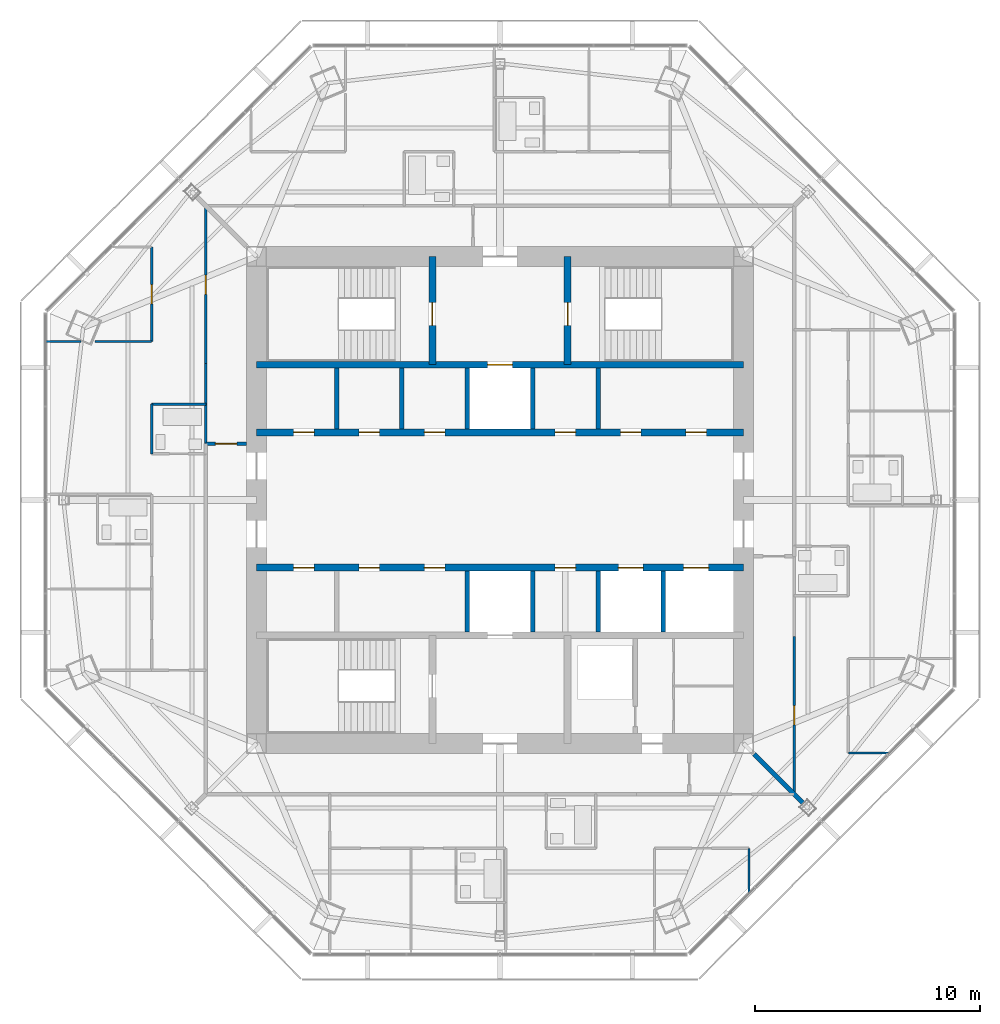
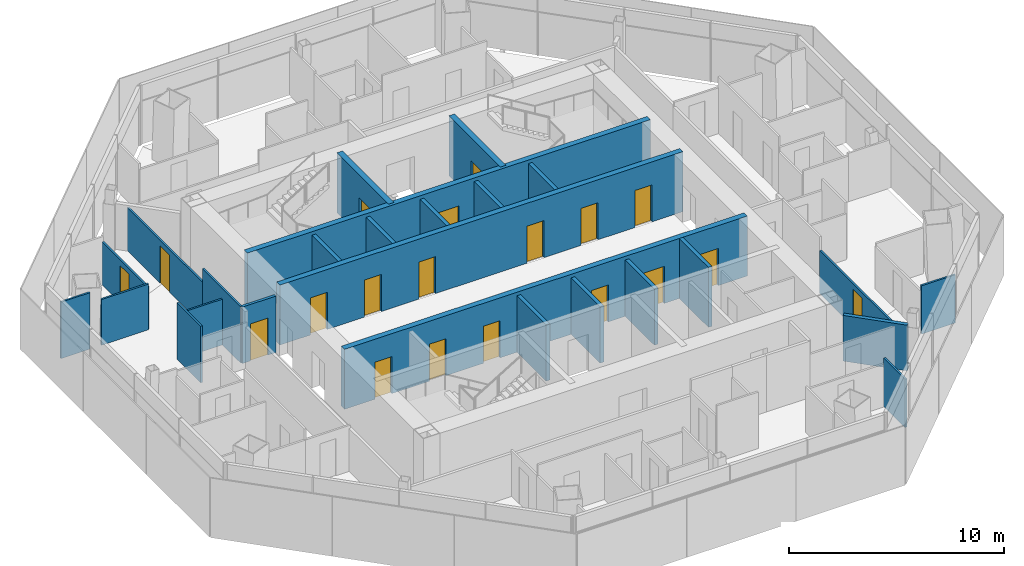
# One storey, part 11 of 15: 26 walls, 19 doors, 19 openings.
"""IFC4 building model written with IfcOpenShell, lengths in metres."""

from ifc_helpers import new_model, si_unit, direction, frame, frame_2d, origin, place, context, subcontext, project, spatial, rectangle, extrude, material, layer, layer_set, type_object, element, fill, save


model = new_model("IFC4")

# Units and contexts
model_context = context("Model", 3, precision=1e-05, world=origin(), true_north=direction((0.0, 1.0)))
body_context = subcontext(model_context, "Body", "Model", "MODEL_VIEW")
ifc_project = project(units=[si_unit("LENGTHUNIT", "METRE"), si_unit("AREAUNIT", "SQUARE_METRE"), si_unit("VOLUMEUNIT", "CUBIC_METRE"), si_unit("PLANEANGLEUNIT", "RADIAN"), si_unit("MASSUNIT", "GRAM", prefix="KILO")], contexts=[model_context])

# Site, building, storey
site_placement = place(None, origin())
site = spatial("IfcSite", under=ifc_project, at=site_placement, CompositionType="ELEMENT")
building_placement = place(site_placement, origin())
building = spatial("IfcBuilding", under=site, at=building_placement, Name="Mashrafa Tower", CompositionType="ELEMENT")
storey_placement = place(building_placement, frame((0.0, 0.0, 277.60009765625)))
storey = spatial("IfcBuildingStorey", under=building, at=storey_placement, Name="L67", CompositionType="ELEMENT", Elevation=277.60009765625)

# Wall
ifc_material_1 = material(Name="Gypsum board on steel studs", Category="steel")
ifc_layer_1 = layer(ifc_material_1, 0.199951171875)
ifc_layer_set_1 = layer_set([ifc_layer_1], Name="Acoustic partition 200 1 hr")
wall_type_1 = type_object("IfcWallType", Name="Acoustic partition 200 1 hr", PredefinedType="PARTITIONING", material=ifc_layer_set_1)
wall_1_placement = place(storey_placement, frame((13.4501953125, -13.4501953125, 0.0), z_axis=(0.0, 0.0, 1.0), x_axis=(-0.707106781187, 0.707106781187, 0.0)))
element("IfcWall", 1, at=wall_1_placement, inside=storey, type_object=wall_type_1, Name="Acoustic wall L67-051", PredefinedType="PARTITIONING", context=body_context, shape_type="SweptSolid", body=[
    extrude(rectangle(XDim=3.084716796875, YDim=0.199951171875, at=frame_2d((1.54248046875, 0.0))), origin(), (0.0, 0.0, 1.0), 2.590576171875),
])

# Wall, openings, doors
ifc_material_2 = material(Name="Concrete C50/60", Category="concrete")
ifc_layer_2 = layer(ifc_material_2, 0.300048828125)
ifc_layer_set_2 = layer_set([ifc_layer_2], Name="Core wall 300 C50/60")
wall_type_2 = type_object("IfcWallType", Name="Core wall 300 C50/60", PredefinedType="SOLIDWALL", material=ifc_layer_set_2)
wall_2_placement = place(storey_placement, frame((-10.800048828125, 3.0, 0.0), z_axis=(0.0, 0.0, 1.0), x_axis=(1.0, 0.0, 0.0)))
wall_2 = element("IfcWall", 2, at=wall_2_placement, inside=storey, type_object=wall_type_2, Name="Core wall CH-N L67", PredefinedType="SOLIDWALL", context=body_context, shape_type="SweptSolid", body=[
    extrude(rectangle(XDim=21.60009765625, YDim=0.300048828125, at=frame_2d((10.800048828125, 0.0))), origin(), (0.0, 0.0, 1.0), 3.39990234375),
])
opening_1_placement = place(wall_2_placement, frame((1.64990234375, 0.0, 0.0)))
opening_1 = element("IfcOpeningElement", 3, at=opening_1_placement, cuts=wall_2, Name="Opening 67.046", PredefinedType="OPENING", context=body_context, shape_type="SweptSolid", body=[
    extrude(rectangle(XDim=0.89990234375, YDim=2.10009765625, at=frame_2d((0.449951171875, 1.050048828125))), frame((0.0, 0.159912109375, 0.0), z_axis=(0.0, -1.0, 0.0), x_axis=(1.0, 0.0, 0.0)), (0.0, 0.0, 1.0), 0.320068359375),
])
opening_2_placement = place(wall_2_placement, frame((7.449951171875, 0.0, 0.0)))
opening_2 = element("IfcOpeningElement", 4, at=opening_2_placement, cuts=wall_2, Name="Opening 67.047", PredefinedType="OPENING", context=body_context, shape_type="SweptSolid", body=[
    extrude(rectangle(XDim=0.89990234375, YDim=2.10009765625, at=frame_2d((0.449951171875, 1.050048828125))), frame((0.0, 0.159912109375, 0.0), z_axis=(0.0, -1.0, 0.0), x_axis=(1.0, 0.0, 0.0)), (0.0, 0.0, 1.0), 0.320068359375),
])
opening_3_placement = place(wall_2_placement, frame((13.25, 0.0, 0.0)))
opening_3 = element("IfcOpeningElement", 5, at=opening_3_placement, cuts=wall_2, Name="Opening 67.048", PredefinedType="OPENING", context=body_context, shape_type="SweptSolid", body=[
    extrude(rectangle(XDim=0.89990234375, YDim=2.10009765625, at=frame_2d((0.449951171875, 1.050048828125))), frame((0.0, 0.159912109375, 0.0), z_axis=(0.0, -1.0, 0.0), x_axis=(1.0, 0.0, 0.0)), (0.0, 0.0, 1.0), 0.320068359375),
])
opening_4_placement = place(wall_2_placement, frame((16.14990234375, 0.0, 0.0)))
opening_4 = element("IfcOpeningElement", 6, at=opening_4_placement, cuts=wall_2, Name="Opening 67.049", PredefinedType="OPENING", context=body_context, shape_type="SweptSolid", body=[
    extrude(rectangle(XDim=0.89990234375, YDim=2.10009765625, at=frame_2d((0.449951171875, 1.050048828125))), frame((0.0, 0.159912109375, 0.0), z_axis=(0.0, -1.0, 0.0), x_axis=(1.0, 0.0, 0.0)), (0.0, 0.0, 1.0), 0.320068359375),
])
opening_5_placement = place(wall_2_placement, frame((19.050048828125, 0.0, 0.0)))
opening_5 = element("IfcOpeningElement", 7, at=opening_5_placement, cuts=wall_2, Name="Opening 67.050", PredefinedType="OPENING", context=body_context, shape_type="SweptSolid", body=[
    extrude(rectangle(XDim=0.89990234375, YDim=2.10009765625, at=frame_2d((0.449951171875, 1.050048828125))), frame((0.0, 0.159912109375, 0.0), z_axis=(0.0, -1.0, 0.0), x_axis=(1.0, 0.0, 0.0)), (0.0, 0.0, 1.0), 0.320068359375),
])
opening_6_placement = place(wall_2_placement, frame((4.550048828125, 0.0, 0.0)))
opening_6 = element("IfcOpeningElement", 8, at=opening_6_placement, cuts=wall_2, Name="Opening 67.053", PredefinedType="OPENING", context=body_context, shape_type="SweptSolid", body=[
    extrude(rectangle(XDim=0.89990234375, YDim=2.10009765625, at=frame_2d((0.449951171875, 1.050048828125))), frame((0.0, 0.159912109375, 0.0), z_axis=(0.0, -1.0, 0.0), x_axis=(1.0, 0.0, 0.0)), (0.0, 0.0, 1.0), 0.320068359375),
])
ifc_material_3 = material(Name="Timber door", Category="wood")
door_type_1 = type_object("IfcDoorType", Name="Store door 900 x 2100", OperationType="USERDEFINED", PredefinedType="DOOR", material=ifc_material_3)
door_1_placement = place(opening_1_placement, origin())
door_1 = element("IfcDoor", 9, at=door_1_placement, inside=storey, type_object=door_type_1, Name="Refuse Chute Room L67 door", OperationType="SINGLE_SWING_RIGHT", OverallHeight=2.10009765625, OverallWidth=0.89990234375, PredefinedType="DOOR", context=body_context, shape_type="SweptSolid", body=[
    extrude(rectangle(XDim=0.89990234375, YDim=2.10009765625, at=frame_2d((0.449951171875, 1.050048828125))), frame((0.0, 0.02490234375, 0.0), z_axis=(0.0, -1.0, 0.0), x_axis=(1.0, 0.0, 0.0)), (0.0, 0.0, 1.0), 0.050048828125),
])
fill(opening_1, door_1)
door_2_placement = place(opening_2_placement, origin())
door_2 = element("IfcDoor", 10, at=door_2_placement, inside=storey, type_object=door_type_1, Name="Vending and Ice Room L67 door", OperationType="SINGLE_SWING_LEFT", OverallHeight=2.10009765625, OverallWidth=0.89990234375, PredefinedType="DOOR", context=body_context, shape_type="SweptSolid", body=[
    extrude(rectangle(XDim=0.89990234375, YDim=2.10009765625, at=frame_2d((0.449951171875, 1.050048828125))), frame((0.0, 0.02490234375, 0.0), z_axis=(0.0, -1.0, 0.0), x_axis=(1.0, 0.0, 0.0)), (0.0, 0.0, 1.0), 0.050048828125),
])
fill(opening_2, door_2)
door_3_placement = place(opening_3_placement, origin())
door_3 = element("IfcDoor", 11, at=door_3_placement, inside=storey, type_object=door_type_1, Name="Cleaner's Store L67 door", OperationType="SINGLE_SWING_LEFT", OverallHeight=2.10009765625, OverallWidth=0.89990234375, PredefinedType="DOOR", context=body_context, shape_type="SweptSolid", body=[
    extrude(rectangle(XDim=0.89990234375, YDim=2.10009765625, at=frame_2d((0.449951171875, 1.050048828125))), frame((0.0, 0.02490234375, 0.0), z_axis=(0.0, -1.0, 0.0), x_axis=(1.0, 0.0, 0.0)), (0.0, 0.0, 1.0), 0.050048828125),
])
fill(opening_3, door_3)
door_4_placement = place(opening_4_placement, origin())
door_4 = element("IfcDoor", 12, at=door_4_placement, inside=storey, type_object=door_type_1, Name="Parcel Room L67 door", OperationType="SINGLE_SWING_LEFT", OverallHeight=2.10009765625, OverallWidth=0.89990234375, PredefinedType="DOOR", context=body_context, shape_type="SweptSolid", body=[
    extrude(rectangle(XDim=0.89990234375, YDim=2.10009765625, at=frame_2d((0.449951171875, 1.050048828125))), frame((0.0, 0.02490234375, 0.0), z_axis=(0.0, -1.0, 0.0), x_axis=(1.0, 0.0, 0.0)), (0.0, 0.0, 1.0), 0.050048828125),
])
fill(opening_4, door_4)
door_5_placement = place(opening_5_placement, origin())
door_5 = element("IfcDoor", 13, at=door_5_placement, inside=storey, type_object=door_type_1, Name="Parcel Room L67 door", OperationType="SINGLE_SWING_RIGHT", OverallHeight=2.10009765625, OverallWidth=0.89990234375, PredefinedType="DOOR", context=body_context, shape_type="SweptSolid", body=[
    extrude(rectangle(XDim=0.89990234375, YDim=2.10009765625, at=frame_2d((0.449951171875, 1.050048828125))), frame((0.0, 0.02490234375, 0.0), z_axis=(0.0, -1.0, 0.0), x_axis=(1.0, 0.0, 0.0)), (0.0, 0.0, 1.0), 0.050048828125),
])
fill(opening_5, door_5)
door_6_placement = place(opening_6_placement, origin())
door_6 = element("IfcDoor", 14, at=door_6_placement, inside=storey, type_object=door_type_1, Name="Residents' Store L67-A2 door", OperationType="SINGLE_SWING_LEFT", OverallHeight=2.10009765625, OverallWidth=0.89990234375, PredefinedType="DOOR", context=body_context, shape_type="SweptSolid", body=[
    extrude(rectangle(XDim=0.89990234375, YDim=2.10009765625, at=frame_2d((0.449951171875, 1.050048828125))), frame((0.0, 0.02490234375, 0.0), z_axis=(0.0, -1.0, 0.0), x_axis=(1.0, 0.0, 0.0)), (0.0, 0.0, 1.0), 0.050048828125),
])
fill(opening_6, door_6)

# Wall, opening, door
wall_3_placement = place(storey_placement, frame((-10.800048828125, 6.0, 0.0), z_axis=(0.0, 0.0, 1.0), x_axis=(1.0, 0.0, 0.0)))
wall_3 = element("IfcWall", 15, at=wall_3_placement, inside=storey, type_object=wall_type_2, Name="Core wall CB-N L67", PredefinedType="SOLIDWALL", context=body_context, shape_type="SweptSolid", body=[
    extrude(rectangle(XDim=21.60009765625, YDim=0.300048828125, at=frame_2d((10.800048828125, 0.0))), origin(), (0.0, 0.0, 1.0), 3.39990234375),
])
opening_7_placement = place(wall_3_placement, frame((10.25, 0.0, 0.0)))
opening_7 = element("IfcOpeningElement", 16, at=opening_7_placement, cuts=wall_3, Name="Opening 67.F1", PredefinedType="OPENING", context=body_context, shape_type="SweptSolid", body=[
    extrude(rectangle(XDim=1.10009765625, YDim=2.10009765625, at=frame_2d((0.550048828125, 1.050048828125))), frame((0.0, 0.159912109375, 0.0), z_axis=(0.0, -1.0, 0.0), x_axis=(1.0, 0.0, 0.0)), (0.0, 0.0, 1.0), 0.320068359375),
])
ifc_material_4 = material(Name="Steel door", Category="steel")
door_type_2 = type_object("IfcDoorType", Name="Lift landing door 1100 x 2100 90 min", OperationType="DOUBLE_DOOR_SLIDING", PredefinedType="DOOR", material=ifc_material_4)
door_7_placement = place(opening_7_placement, origin())
door_7 = element("IfcDoor", 17, at=door_7_placement, inside=storey, type_object=door_type_2, Name="Lift landing door F1 L67", OperationType="DOUBLE_DOOR_SLIDING", OverallHeight=2.10009765625, OverallWidth=1.10009765625, PredefinedType="DOOR", context=body_context, shape_type="SweptSolid", body=[
    extrude(rectangle(XDim=1.10009765625, YDim=2.10009765625, at=frame_2d((0.550048828125, 1.050048828125))), frame((0.0, 0.02490234375, 0.0), z_axis=(0.0, -1.0, 0.0), x_axis=(1.0, 0.0, 0.0)), (0.0, 0.0, 1.0), 0.050048828125),
])
fill(opening_7, door_7)

wall_4_placement = place(storey_placement, frame((-3.0, 6.0, 0.0), z_axis=(0.0, 0.0, 1.0), x_axis=(0.0, 1.0, 0.0)))
wall_4 = element("IfcWall", 18, at=wall_4_placement, inside=storey, type_object=wall_type_2, Name="Core wall CX-NW L67", PredefinedType="SOLIDWALL", context=body_context, shape_type="SweptSolid", body=[
    extrude(rectangle(XDim=4.800048828125, YDim=0.300048828125, at=frame_2d((2.39990234375, 0.0))), origin(), (0.0, 0.0, 1.0), 3.39990234375),
])
opening_8_placement = place(wall_4_placement, frame((1.75, 0.0, 0.0)))
opening_8 = element("IfcOpeningElement", 19, at=opening_8_placement, cuts=wall_4, Name="Opening 67.039", PredefinedType="OPENING", context=body_context, shape_type="SweptSolid", body=[
    extrude(rectangle(XDim=1.0, YDim=2.10009765625, at=frame_2d((0.5, 1.050048828125))), frame((0.0, 0.159912109375, 0.0), z_axis=(0.0, -1.0, 0.0), x_axis=(1.0, 0.0, 0.0)), (0.0, 0.0, 1.0), 0.320068359375),
])
ifc_material_5 = material(Name="Steel door", Category="steel")
door_type_3 = type_object("IfcDoorType", Name="Stair door 1000 x 2100 90 min", OperationType="USERDEFINED", PredefinedType="DOOR", material=ifc_material_5)
door_8_placement = place(opening_8_placement, origin())
door_8 = element("IfcDoor", 20, at=door_8_placement, inside=storey, type_object=door_type_3, Name="Stair S1 door L67", OperationType="SINGLE_SWING_LEFT", OverallHeight=2.10009765625, OverallWidth=1.0, PredefinedType="DOOR", context=body_context, shape_type="SweptSolid", body=[
    extrude(rectangle(XDim=1.0, YDim=2.10009765625, at=frame_2d((0.5, 1.050048828125))), frame((0.0, 0.02490234375, 0.0), z_axis=(0.0, -1.0, 0.0), x_axis=(1.0, 0.0, 0.0)), (0.0, 0.0, 1.0), 0.050048828125),
])
fill(opening_8, door_8)

wall_5_placement = place(storey_placement, frame((3.0, 6.0, 0.0), z_axis=(0.0, 0.0, 1.0), x_axis=(0.0, 1.0, 0.0)))
wall_5 = element("IfcWall", 21, at=wall_5_placement, inside=storey, type_object=wall_type_2, Name="Core wall CX-NE L67", PredefinedType="SOLIDWALL", context=body_context, shape_type="SweptSolid", body=[
    extrude(rectangle(XDim=4.800048828125, YDim=0.300048828125, at=frame_2d((2.39990234375, 0.0))), origin(), (0.0, 0.0, 1.0), 3.39990234375),
])
opening_9_placement = place(wall_5_placement, frame((1.75, 0.0, 0.0)))
opening_9 = element("IfcOpeningElement", 22, at=opening_9_placement, cuts=wall_5, Name="Opening 67.040", PredefinedType="OPENING", context=body_context, shape_type="SweptSolid", body=[
    extrude(rectangle(XDim=1.0, YDim=2.10009765625, at=frame_2d((0.5, 1.050048828125))), frame((0.0, 0.159912109375, 0.0), z_axis=(0.0, -1.0, 0.0), x_axis=(1.0, 0.0, 0.0)), (0.0, 0.0, 1.0), 0.320068359375),
])
door_9_placement = place(opening_9_placement, frame((1.0, 0.0, 0.0), z_axis=(0.0, 0.0, 1.0), x_axis=(-1.0, 0.0, 0.0)))
door_9 = element("IfcDoor", 23, at=door_9_placement, inside=storey, type_object=door_type_3, Name="Stair S2 door L67", OperationType="SINGLE_SWING_RIGHT", OverallHeight=2.10009765625, OverallWidth=1.0, PredefinedType="DOOR", context=body_context, shape_type="SweptSolid", body=[
    extrude(rectangle(XDim=1.0, YDim=2.10009765625, at=frame_2d((0.5, 1.050048828125))), frame((0.0, 0.02490234375, 0.0), z_axis=(0.0, -1.0, 0.0), x_axis=(1.0, 0.0, 0.0)), (0.0, 0.0, 1.0), 0.050048828125),
])
fill(opening_9, door_9)

# Wall, openings, doors
wall_6_placement = place(storey_placement, frame((-10.800048828125, -3.0, 0.0), z_axis=(0.0, 0.0, 1.0), x_axis=(1.0, 0.0, 0.0)))
wall_6 = element("IfcWall", 24, at=wall_6_placement, inside=storey, type_object=wall_type_2, Name="Core wall CH-S L67", PredefinedType="SOLIDWALL", context=body_context, shape_type="SweptSolid", body=[
    extrude(rectangle(XDim=21.60009765625, YDim=0.300048828125, at=frame_2d((10.800048828125, 0.0))), origin(), (0.0, 0.0, 1.0), 3.39990234375),
])
opening_10_placement = place(wall_6_placement, frame((4.550048828125, 0.0, 0.0)))
opening_10 = element("IfcOpeningElement", 25, at=opening_10_placement, cuts=wall_6, Name="Opening 67.051", PredefinedType="OPENING", context=body_context, shape_type="SweptSolid", body=[
    extrude(rectangle(XDim=0.89990234375, YDim=2.10009765625, at=frame_2d((0.449951171875, 1.050048828125))), frame((0.0, 0.159912109375, 0.0), z_axis=(0.0, -1.0, 0.0), x_axis=(1.0, 0.0, 0.0)), (0.0, 0.0, 1.0), 0.320068359375),
])
opening_11_placement = place(wall_6_placement, frame((7.449951171875, 0.0, 0.0)))
opening_11 = element("IfcOpeningElement", 26, at=opening_11_placement, cuts=wall_6, Name="Opening 67.052", PredefinedType="OPENING", context=body_context, shape_type="SweptSolid", body=[
    extrude(rectangle(XDim=0.89990234375, YDim=2.10009765625, at=frame_2d((0.449951171875, 1.050048828125))), frame((0.0, 0.159912109375, 0.0), z_axis=(0.0, -1.0, 0.0), x_axis=(1.0, 0.0, 0.0)), (0.0, 0.0, 1.0), 0.320068359375),
])
opening_12_placement = place(wall_6_placement, frame((1.64990234375, 0.0, 0.0)))
opening_12 = element("IfcOpeningElement", 27, at=opening_12_placement, cuts=wall_6, Name="Opening 67.054", PredefinedType="OPENING", context=body_context, shape_type="SweptSolid", body=[
    extrude(rectangle(XDim=0.89990234375, YDim=2.10009765625, at=frame_2d((0.449951171875, 1.050048828125))), frame((0.0, 0.159912109375, 0.0), z_axis=(0.0, -1.0, 0.0), x_axis=(1.0, 0.0, 0.0)), (0.0, 0.0, 1.0), 0.320068359375),
])
opening_13_placement = place(wall_6_placement, frame((13.25, 0.0, 0.0)))
opening_13 = element("IfcOpeningElement", 28, at=opening_13_placement, cuts=wall_6, Name="Opening 67.055", PredefinedType="OPENING", context=body_context, shape_type="SweptSolid", body=[
    extrude(rectangle(XDim=0.89990234375, YDim=2.10009765625, at=frame_2d((0.449951171875, 1.050048828125))), frame((0.0, 0.159912109375, 0.0), z_axis=(0.0, -1.0, 0.0), x_axis=(1.0, 0.0, 0.0)), (0.0, 0.0, 1.0), 0.320068359375),
])
opening_14_placement = place(wall_6_placement, frame((16.050048828125, 0.0, 0.0)))
opening_14 = element("IfcOpeningElement", 29, at=opening_14_placement, cuts=wall_6, Name="Opening 67.R1", PredefinedType="OPENING", context=body_context, shape_type="SweptSolid", body=[
    extrude(rectangle(XDim=1.10009765625, YDim=2.10009765625, at=frame_2d((0.550048828125, 1.050048828125))), frame((0.0, 0.159912109375, 0.0), z_axis=(0.0, -1.0, 0.0), x_axis=(1.0, 0.0, 0.0)), (0.0, 0.0, 1.0), 0.320068359375),
])
opening_15_placement = place(wall_6_placement, frame((18.949951171875, 0.0, 0.0)))
opening_15 = element("IfcOpeningElement", 30, at=opening_15_placement, cuts=wall_6, Name="Opening 67.R2", PredefinedType="OPENING", context=body_context, shape_type="SweptSolid", body=[
    extrude(rectangle(XDim=1.10009765625, YDim=2.10009765625, at=frame_2d((0.550048828125, 1.050048828125))), frame((0.0, 0.159912109375, 0.0), z_axis=(0.0, -1.0, 0.0), x_axis=(1.0, 0.0, 0.0)), (0.0, 0.0, 1.0), 0.320068359375),
])
door_10_placement = place(opening_14_placement, origin())
door_10 = element("IfcDoor", 31, at=door_10_placement, inside=storey, type_object=door_type_2, Name="Lift landing door R1 L67", OperationType="DOUBLE_DOOR_SLIDING", OverallHeight=2.10009765625, OverallWidth=1.10009765625, PredefinedType="DOOR", context=body_context, shape_type="SweptSolid", body=[
    extrude(rectangle(XDim=1.10009765625, YDim=2.10009765625, at=frame_2d((0.550048828125, 1.050048828125))), frame((0.0, 0.02490234375, 0.0), z_axis=(0.0, -1.0, 0.0), x_axis=(1.0, 0.0, 0.0)), (0.0, 0.0, 1.0), 0.050048828125),
])
fill(opening_14, door_10)
door_11_placement = place(opening_15_placement, origin())
door_11 = element("IfcDoor", 32, at=door_11_placement, inside=storey, type_object=door_type_2, Name="Lift landing door R2 L67", OperationType="DOUBLE_DOOR_SLIDING", OverallHeight=2.10009765625, OverallWidth=1.10009765625, PredefinedType="DOOR", context=body_context, shape_type="SweptSolid", body=[
    extrude(rectangle(XDim=1.10009765625, YDim=2.10009765625, at=frame_2d((0.550048828125, 1.050048828125))), frame((0.0, 0.02490234375, 0.0), z_axis=(0.0, -1.0, 0.0), x_axis=(1.0, 0.0, 0.0)), (0.0, 0.0, 1.0), 0.050048828125),
])
fill(opening_15, door_11)
door_12_placement = place(opening_10_placement, frame((0.89990234375, 0.0, 0.0), z_axis=(0.0, 0.0, 1.0), x_axis=(-1.0, 0.0, 0.0)))
door_12 = element("IfcDoor", 33, at=door_12_placement, inside=storey, type_object=door_type_1, Name="Bulky Waste Store L67 door", OperationType="SINGLE_SWING_RIGHT", OverallHeight=2.10009765625, OverallWidth=0.89990234375, PredefinedType="DOOR", context=body_context, shape_type="SweptSolid", body=[
    extrude(rectangle(XDim=0.89990234375, YDim=2.10009765625, at=frame_2d((0.449951171875, 1.050048828125))), frame((0.0, 0.02490234375, 0.0), z_axis=(0.0, -1.0, 0.0), x_axis=(1.0, 0.0, 0.0)), (0.0, 0.0, 1.0), 0.050048828125),
])
fill(opening_10, door_12)
door_13_placement = place(opening_11_placement, frame((0.89990234375, 0.0, 0.0), z_axis=(0.0, 0.0, 1.0), x_axis=(-1.0, 0.0, 0.0)))
door_13 = element("IfcDoor", 34, at=door_13_placement, inside=storey, type_object=door_type_1, Name="Bulky Waste Store L67 door", OperationType="SINGLE_SWING_LEFT", OverallHeight=2.10009765625, OverallWidth=0.89990234375, PredefinedType="DOOR", context=body_context, shape_type="SweptSolid", body=[
    extrude(rectangle(XDim=0.89990234375, YDim=2.10009765625, at=frame_2d((0.449951171875, 1.050048828125))), frame((0.0, 0.02490234375, 0.0), z_axis=(0.0, -1.0, 0.0), x_axis=(1.0, 0.0, 0.0)), (0.0, 0.0, 1.0), 0.050048828125),
])
fill(opening_11, door_13)
door_14_placement = place(opening_12_placement, frame((0.89990234375, 0.0, 0.0), z_axis=(0.0, 0.0, 1.0), x_axis=(-1.0, 0.0, 0.0)))
door_14 = element("IfcDoor", 35, at=door_14_placement, inside=storey, type_object=door_type_1, Name="Residents' Store L67-B1 door", OperationType="SINGLE_SWING_LEFT", OverallHeight=2.10009765625, OverallWidth=0.89990234375, PredefinedType="DOOR", context=body_context, shape_type="SweptSolid", body=[
    extrude(rectangle(XDim=0.89990234375, YDim=2.10009765625, at=frame_2d((0.449951171875, 1.050048828125))), frame((0.0, 0.02490234375, 0.0), z_axis=(0.0, -1.0, 0.0), x_axis=(1.0, 0.0, 0.0)), (0.0, 0.0, 1.0), 0.050048828125),
])
fill(opening_12, door_14)
door_15_placement = place(opening_13_placement, frame((0.89990234375, 0.0, 0.0), z_axis=(0.0, 0.0, 1.0), x_axis=(-1.0, 0.0, 0.0)))
door_15 = element("IfcDoor", 36, at=door_15_placement, inside=storey, type_object=door_type_1, Name="Residents' Store L67-B4 door", OperationType="SINGLE_SWING_RIGHT", OverallHeight=2.10009765625, OverallWidth=0.89990234375, PredefinedType="DOOR", context=body_context, shape_type="SweptSolid", body=[
    extrude(rectangle(XDim=0.89990234375, YDim=2.10009765625, at=frame_2d((0.449951171875, 1.050048828125))), frame((0.0, 0.02490234375, 0.0), z_axis=(0.0, -1.0, 0.0), x_axis=(1.0, 0.0, 0.0)), (0.0, 0.0, 1.0), 0.050048828125),
])
fill(opening_13, door_15)

# Wall, opening, door
ifc_material_6 = material(Name="Gypsum board on steel studs", Category="steel")
ifc_layer_3 = layer(ifc_material_6, 0.14990234375)
ifc_layer_set_3 = layer_set([ifc_layer_3], Name="Corridor partition 150 1 hr")
wall_type_3 = type_object("IfcWallType", Name="Corridor partition 150 1 hr", PredefinedType="PARTITIONING", material=ifc_layer_set_3)
wall_7_placement = place(storey_placement, frame((-11.25, 2.5, 0.0), z_axis=(0.0, 0.0, 1.0), x_axis=(-1.0, 0.0, 0.0)))
wall_7 = element("IfcWall", 37, at=wall_7_placement, inside=storey, type_object=wall_type_3, Name="Corridor wall L67-017", PredefinedType="PARTITIONING", context=body_context, shape_type="SweptSolid", body=[
    extrude(rectangle(XDim=1.800048828125, YDim=0.14990234375, at=frame_2d((0.89990234375, 0.0))), origin(), (0.0, 0.0, 1.0), 3.199951171875),
])
opening_16_placement = place(wall_7_placement, frame((0.425048828125, 0.0, 0.0)))
opening_16 = element("IfcOpeningElement", 38, at=opening_16_placement, cuts=wall_7, Name="Opening 67.032", PredefinedType="OPENING", context=body_context, shape_type="SweptSolid", body=[
    extrude(rectangle(XDim=0.949951171875, YDim=2.10009765625, at=frame_2d((0.47509765625, 1.050048828125))), frame((0.0, 0.0849609375, 0.0), z_axis=(0.0, -1.0, 0.0), x_axis=(1.0, 0.0, 0.0)), (0.0, 0.0, 1.0), 0.169921875),
])
ifc_material_7 = material(Name="Steel door", Category="steel")
door_type_4 = type_object("IfcDoorType", Name="Residence entrance door 950 x 2100 20 min", OperationType="USERDEFINED", PredefinedType="DOOR", material=ifc_material_7)
door_16_placement = place(opening_16_placement, origin())
door_16 = element("IfcDoor", 39, at=door_16_placement, inside=storey, type_object=door_type_4, Name="Apartment 6703 Entrance Hall door", OperationType="SINGLE_SWING_RIGHT", OverallHeight=2.10009765625, OverallWidth=0.949951171875, PredefinedType="DOOR", context=body_context, shape_type="SweptSolid", body=[
    extrude(rectangle(XDim=0.949951171875, YDim=2.10009765625, at=frame_2d((0.47509765625, 1.050048828125))), frame((0.0, 0.02490234375, 0.0), z_axis=(0.0, -1.0, 0.0), x_axis=(1.0, 0.0, 0.0)), (0.0, 0.0, 1.0), 0.050048828125),
])
fill(opening_16, door_16)

# Walls
ifc_material_8 = material(Name="Gypsum board on steel studs", Category="steel")
ifc_layer_4 = layer(ifc_material_8, 0.10009765625)
ifc_layer_set_4 = layer_set([ifc_layer_4], Name="Partition 100")
wall_type_4 = type_object("IfcWallType", Name="Partition 100", PredefinedType="PARTITIONING", material=ifc_layer_set_4)
wall_8_placement = place(storey_placement, frame((15.449951171875, -11.226806640625, 0.0), z_axis=(0.0, 0.0, 1.0), x_axis=(1.0, 0.0, 0.0)))
element("IfcWall", 40, at=wall_8_placement, inside=storey, type_object=wall_type_4, Name="Partition wall L67-021", PredefinedType="PARTITIONING", context=body_context, shape_type="SweptSolid", body=[
    extrude(rectangle(XDim=1.812744140625, YDim=0.10009765625, at=frame_2d((0.90625, 0.0))), origin(), (0.0, 0.0, 1.0), 2.740234375),
])
wall_9_placement = place(storey_placement, frame((-20.143798828125, 7.026611328125, 0.0), z_axis=(0.0, 0.0, 1.0), x_axis=(1.0, 0.0, 0.0)))
element("IfcWall", 41, at=wall_9_placement, inside=storey, type_object=wall_type_4, Name="Partition wall L67-026", PredefinedType="PARTITIONING", context=body_context, shape_type="SweptSolid", body=[
    extrude(rectangle(XDim=1.562255859375, YDim=0.10009765625, at=frame_2d((0.78125, 0.0))), origin(), (0.0, 0.0, 1.0), 3.199951171875),
])
wall_10_placement = place(storey_placement, frame((-17.961181640625, 7.026611328125, 0.0), z_axis=(0.0, 0.0, 1.0), x_axis=(1.0, 0.0, 0.0)))
element("IfcWall", 42, at=wall_10_placement, inside=storey, type_object=wall_type_4, Name="Partition wall L67-027", PredefinedType="PARTITIONING", context=body_context, shape_type="SweptSolid", body=[
    extrude(rectangle(XDim=2.51123046875, YDim=0.10009765625, at=frame_2d((1.255615234375, 0.0))), origin(), (0.0, 0.0, 1.0), 2.590576171875),
])

# Wall, opening, door
wall_11_placement = place(storey_placement, frame((-15.449951171875, 7.026611328125, 0.0), z_axis=(0.0, 0.0, 1.0), x_axis=(0.0, 1.0, 0.0)))
wall_11 = element("IfcWall", 43, at=wall_11_placement, inside=storey, type_object=wall_type_4, Name="Partition wall L67-028", PredefinedType="PARTITIONING", context=body_context, shape_type="SweptSolid", body=[
    extrude(rectangle(XDim=4.2001953125, YDim=0.10009765625, at=frame_2d((2.10009765625, 0.0))), origin(), (0.0, 0.0, 1.0), 2.427978515625),
])
opening_17_placement = place(wall_11_placement, frame((1.675048828125, 0.0, 0.0)))
opening_17 = element("IfcOpeningElement", 44, at=opening_17_placement, cuts=wall_11, Name="Opening 67.003", PredefinedType="OPENING", context=body_context, shape_type="SweptSolid", body=[
    extrude(rectangle(XDim=0.85009765625, YDim=2.10009765625, at=frame_2d((0.425048828125, 1.050048828125))), frame((0.0, 0.06005859375, 0.0), z_axis=(0.0, -1.0, 0.0), x_axis=(1.0, 0.0, 0.0)), (0.0, 0.0, 1.0), 0.1201171875),
])
ifc_material_9 = material(Name="Timber door", Category="wood")
door_type_5 = type_object("IfcDoorType", Name="Bedroom door 850 x 2100", OperationType="USERDEFINED", PredefinedType="DOOR", material=ifc_material_9)
door_17_placement = place(opening_17_placement, origin())
door_17 = element("IfcDoor", 45, at=door_17_placement, inside=storey, type_object=door_type_5, Name="Apartment 6703 Dining Room door", OperationType="SINGLE_SWING_RIGHT", OverallHeight=2.10009765625, OverallWidth=0.85009765625, PredefinedType="DOOR", context=body_context, shape_type="SweptSolid", body=[
    extrude(rectangle(XDim=0.85009765625, YDim=2.10009765625, at=frame_2d((0.425048828125, 1.050048828125))), frame((0.0, 0.02490234375, 0.0), z_axis=(0.0, -1.0, 0.0), x_axis=(1.0, 0.0, 0.0)), (0.0, 0.0, 1.0), 0.050048828125),
])
fill(opening_17, door_17)

# Wall
wall_12_placement = place(storey_placement, frame((11.050048828125, -17.439208984375, 0.0), z_axis=(0.0, 0.0, 1.0), x_axis=(0.0, 1.0, 0.0)))
element("IfcWall", 46, at=wall_12_placement, inside=storey, type_object=wall_type_4, Name="Partition wall L67-030", PredefinedType="PARTITIONING", context=body_context, shape_type="SweptSolid", body=[
    extrude(rectangle(XDim=1.9892578125, YDim=0.10009765625, at=frame_2d((0.99462890625, 0.0))), origin(), (0.0, 0.0, 1.0), 2.740234375),
])

# Wall, opening, door
wall_13_placement = place(storey_placement, frame((13.050048828125, -6.050048828125, 0.0), z_axis=(0.0, 0.0, 1.0), x_axis=(0.0, -1.0, 0.0)))
wall_13 = element("IfcWall", 47, at=wall_13_placement, inside=storey, type_object=wall_type_4, Name="Partition wall L67-052", PredefinedType="PARTITIONING", context=body_context, shape_type="SweptSolid", body=[
    extrude(rectangle(XDim=7.0, YDim=0.10009765625, at=frame_2d((3.5, 0.0))), origin(), (0.0, 0.0, 1.0), 2.427978515625),
])
opening_18_placement = place(wall_13_placement, frame((3.074951171875, 0.0, 0.0)))
opening_18 = element("IfcOpeningElement", 48, at=opening_18_placement, cuts=wall_13, Name="Opening 67.010", PredefinedType="OPENING", context=body_context, shape_type="SweptSolid", body=[
    extrude(rectangle(XDim=0.85009765625, YDim=2.10009765625, at=frame_2d((0.425048828125, 1.050048828125))), frame((0.0, 0.06005859375, 0.0), z_axis=(0.0, -1.0, 0.0), x_axis=(1.0, 0.0, 0.0)), (0.0, 0.0, 1.0), 0.1201171875),
])
door_18_placement = place(opening_18_placement, origin())
door_18 = element("IfcDoor", 49, at=door_18_placement, inside=storey, type_object=door_type_5, Name="Apartment 6701 Living Room door", OperationType="SINGLE_SWING_RIGHT", OverallHeight=2.10009765625, OverallWidth=0.85009765625, PredefinedType="DOOR", context=body_context, shape_type="SweptSolid", body=[
    extrude(rectangle(XDim=0.85009765625, YDim=2.10009765625, at=frame_2d((0.425048828125, 1.050048828125))), frame((0.0, 0.02490234375, 0.0), z_axis=(0.0, -1.0, 0.0), x_axis=(1.0, 0.0, 0.0)), (0.0, 0.0, 1.0), 0.050048828125),
])
fill(opening_18, door_18)

# Walls
wall_14_placement = place(storey_placement, frame((-15.449951171875, 4.25, 0.0), z_axis=(0.0, 0.0, 1.0), x_axis=(1.0, 0.0, 0.0)))
element("IfcWall", 50, at=wall_14_placement, inside=storey, type_object=wall_type_4, Name="Partition wall L67-072", PredefinedType="PARTITIONING", context=body_context, shape_type="SweptSolid", body=[
    extrude(rectangle(XDim=2.39990234375, YDim=0.10009765625, at=frame_2d((1.199951171875, 0.0))), origin(), (0.0, 0.0, 1.0), 2.590576171875),
])
wall_15_placement = place(storey_placement, frame((-13.050048828125, 6.050048828125, 0.0), z_axis=(0.0, 0.0, 1.0), x_axis=(0.0, -1.0, 0.0)))
element("IfcWall", 51, at=wall_15_placement, inside=storey, type_object=wall_type_4, Name="Partition wall L67-073", PredefinedType="PARTITIONING", context=body_context, shape_type="SweptSolid", body=[
    extrude(rectangle(XDim=3.551025390625, YDim=0.10009765625, at=frame_2d((1.775390625, 0.0))), origin(), (0.0, 0.0, 1.0), 3.199951171875),
])
wall_16_placement = place(storey_placement, frame((-15.449951171875, 4.25, 0.0), z_axis=(0.0, 0.0, 1.0), x_axis=(0.0, -1.0, 0.0)))
element("IfcWall", 52, at=wall_16_placement, inside=storey, type_object=wall_type_4, Name="Partition wall L67-074", PredefinedType="PARTITIONING", context=body_context, shape_type="SweptSolid", body=[
    extrude(rectangle(XDim=2.199951171875, YDim=0.10009765625, at=frame_2d((1.10009765625, 0.0))), origin(), (0.0, 0.0, 1.0), 3.199951171875),
])

# Wall, opening, door
wall_17_placement = place(storey_placement, frame((-13.050048828125, 6.050048828125, 0.0), z_axis=(0.0, 0.0, 1.0), x_axis=(0.0, 1.0, 0.0)))
wall_17 = element("IfcWall", 53, at=wall_17_placement, inside=storey, type_object=wall_type_4, Name="Partition wall L67-089", PredefinedType="PARTITIONING", context=body_context, shape_type="SweptSolid", body=[
    extrude(rectangle(XDim=7.0, YDim=0.10009765625, at=frame_2d((3.5, 0.0))), origin(), (0.0, 0.0, 1.0), 2.427978515625),
])
opening_19_placement = place(wall_17_placement, frame((3.074951171875, 0.0, 0.0)))
opening_19 = element("IfcOpeningElement", 54, at=opening_19_placement, cuts=wall_17, Name="Opening 67.022", PredefinedType="OPENING", context=body_context, shape_type="SweptSolid", body=[
    extrude(rectangle(XDim=0.85009765625, YDim=2.10009765625, at=frame_2d((0.425048828125, 1.050048828125))), frame((0.0, 0.06005859375, 0.0), z_axis=(0.0, -1.0, 0.0), x_axis=(1.0, 0.0, 0.0)), (0.0, 0.0, 1.0), 0.1201171875),
])
door_19_placement = place(opening_19_placement, origin())
door_19 = element("IfcDoor", 55, at=door_19_placement, inside=storey, type_object=door_type_5, Name="Apartment 6703 Living Room door", OperationType="SINGLE_SWING_RIGHT", OverallHeight=2.10009765625, OverallWidth=0.85009765625, PredefinedType="DOOR", context=body_context, shape_type="SweptSolid", body=[
    extrude(rectangle(XDim=0.85009765625, YDim=2.10009765625, at=frame_2d((0.425048828125, 1.050048828125))), frame((0.0, 0.02490234375, 0.0), z_axis=(0.0, -1.0, 0.0), x_axis=(1.0, 0.0, 0.0)), (0.0, 0.0, 1.0), 0.050048828125),
])
fill(opening_19, door_19)

# Walls
ifc_material_10 = material(Name="Gypsum shaft wall on steel studs", Category="steel")
ifc_layer_5 = layer(ifc_material_10, 0.199951171875)
ifc_layer_set_5 = layer_set([ifc_layer_5], Name="Shaft divider wall 200 2 hr")
wall_type_5 = type_object("IfcWallType", Name="Shaft divider wall 200 2 hr", PredefinedType="PARTITIONING", material=ifc_layer_set_5)
for number, where, z_axis, x_axis, name in (
    (56, (-7.25, 3.14990234375, 0.0), (0.0, 0.0, 1.0), (0.0, 1.0, 0.0), "Shaft divider wall N1 L67"),
    (57, (-4.35009765625, 3.14990234375, 0.0), (0.0, 0.0, 1.0), (0.0, 1.0, 0.0), "Shaft divider wall N2 L67"),
    (58, (-1.449951171875, 3.14990234375, 0.0), (0.0, 0.0, 1.0), (0.0, 1.0, 0.0), "Shaft divider wall N3 L67"),
    (59, (1.449951171875, 3.14990234375, 0.0), (0.0, 0.0, 1.0), (0.0, 1.0, 0.0), "Shaft divider wall N4 L67"),
    (60, (4.35009765625, 3.14990234375, 0.0), (0.0, 0.0, 1.0), (0.0, 1.0, 0.0), "Shaft divider wall N5 L67"),
    (61, (-1.449951171875, -5.85009765625, 0.0), (0.0, 0.0, 1.0), (0.0, 1.0, 0.0), "Shaft divider wall S3 L67"),
    (62, (1.449951171875, -5.85009765625, 0.0), (0.0, 0.0, 1.0), (0.0, 1.0, 0.0), "Shaft divider wall S4 L67"),
    (63, (4.35009765625, -5.85009765625, 0.0), (0.0, 0.0, 1.0), (0.0, 1.0, 0.0), "Shaft divider wall S5 L67"),
):
    element("IfcWall", number, at=place(storey_placement, frame(where, z_axis=z_axis, x_axis=x_axis)), inside=storey, type_object=wall_type_5, Name=name, PredefinedType="PARTITIONING", context=body_context, shape_type="SweptSolid", body=[
        extrude(rectangle(XDim=2.7001953125, YDim=0.199951171875, at=frame_2d((1.35009765625, 0.0))), origin(), (0.0, 0.0, 1.0), 3.199951171875),
    ])
wall_18_placement = place(storey_placement, frame((7.25, -5.85009765625, 0.0), z_axis=(0.0, 0.0, 1.0), x_axis=(0.0, 1.0, 0.0)))
element("IfcWall", 64, at=wall_18_placement, inside=storey, type_object=wall_type_5, Name="Shaft divider wall S6 L67", PredefinedType="PARTITIONING", context=body_context, shape_type="SweptSolid", body=[
    extrude(rectangle(XDim=2.7001953125, YDim=0.199951171875, at=frame_2d((1.35009765625, 0.0))), origin(), (0.0, 0.0, 1.0), 3.39990234375),
])

save(model, "model.ifc")
